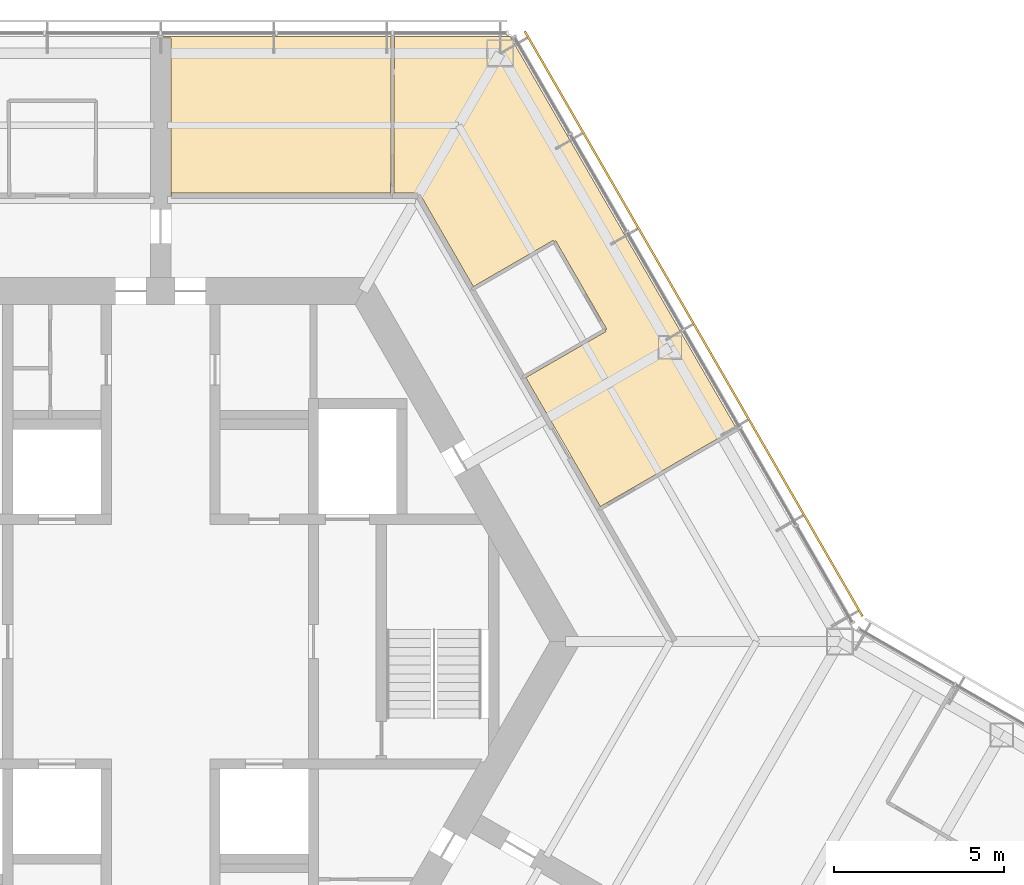
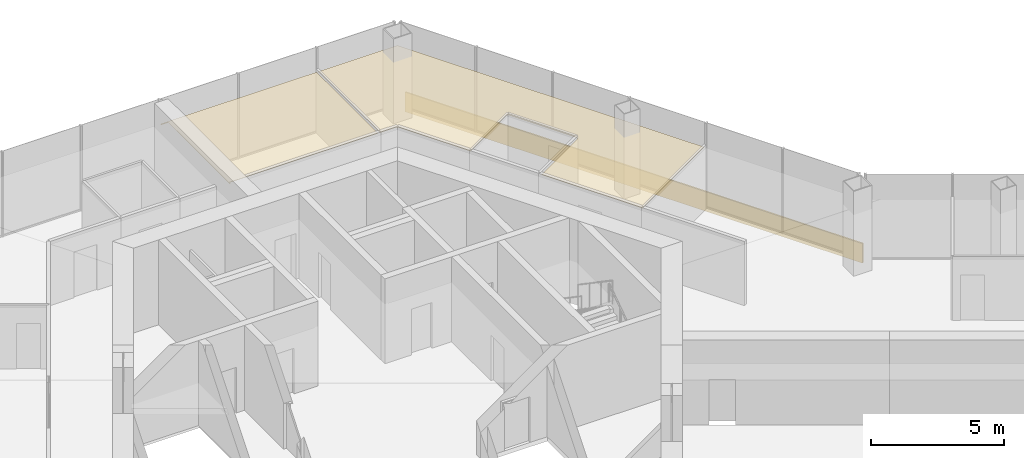
# One storey, part 16 of 16: 2 coverings, 1 shading device.
"""IFC4 building model written with IfcOpenShell, lengths in metres."""

from ifc_helpers import new_model, si_unit, direction, frame, origin, origin_2d, place, context, subcontext, project, spatial, polyline, rectangle, outline, extrude, material, layer, layer_set, type_object, element, save


model = new_model("IFC4")

# Units and contexts
model_context = context("Model", 3, precision=1e-05, world=origin(), true_north=direction((0.0, 1.0)))
body_context = subcontext(model_context, "Body", "Model", "MODEL_VIEW")
ifc_project = project(units=[si_unit("LENGTHUNIT", "METRE"), si_unit("AREAUNIT", "SQUARE_METRE"), si_unit("VOLUMEUNIT", "CUBIC_METRE"), si_unit("PLANEANGLEUNIT", "RADIAN"), si_unit("MASSUNIT", "GRAM", prefix="KILO")], contexts=[model_context])

# Site, building, storey
site_placement = place(None, origin())
site = spatial("IfcSite", under=ifc_project, at=site_placement, CompositionType="ELEMENT")
building_placement = place(site_placement, origin())
building = spatial("IfcBuilding", under=site, at=building_placement, Name="Kasaneha Research Tower", CompositionType="ELEMENT")
storey_placement = place(building_placement, frame((0.0, 0.0, 263.5)))
storey = spatial("IfcBuildingStorey", under=building, at=storey_placement, Name="L66", CompositionType="ELEMENT", Elevation=263.5)

# Coverings
ifc_material_1 = material(Name="Gypsum ceiling board", Category="gypsum")
ifc_layer_1 = layer(ifc_material_1, 0.02001953125)
ifc_layer_set_1 = layer_set([ifc_layer_1], Name="Suspended ceiling 20")
covering_type = type_object("IfcCoveringType", Name="Suspended ceiling 20", PredefinedType="CEILING", material=ifc_layer_set_1)
covering_1_placement = place(storey_placement, frame((0.0, 0.0, 2.800048828125)))
element("IfcCovering", 1, at=covering_1_placement, inside=storey, type_object=covering_type, Name="Ceiling L66-28", PredefinedType="CEILING", context=body_context, shape_type="SweptSolid", body=[
    extrude(outline(polyline([(6.8310546875, 17.820556640625), (6.8310546875, 17.800537109375), (6.781005859375, 17.800537109375), (6.776611328125, 13.199951171875), (0.320068359375, 13.199951171875), (0.320068359375, 13.125), (0.300048828125, 13.125), (0.300048828125, 17.7705078125), (0.300048828125, 17.7705078125), (0.0, 17.7705078125), (0.0, 17.820556640625), (6.8310546875, 17.820556640625)])), origin(), (0.0, 0.0, 1.0), 0.02001953125),
])
covering_2_placement = place(storey_placement, frame((0.0, 0.0, 2.800048828125)))
element("IfcCovering", 2, at=covering_2_placement, inside=storey, type_object=covering_type, Name="Ceiling L66-29", PredefinedType="CEILING", context=body_context, shape_type="SweptSolid", body=[
    extrude(outline(polyline([(13.092041015625, 9.1748046875), (13.091796875, 9.175048828125), (13.134765625, 9.199951171875), (11.634765625, 11.798095703125), (11.591796875, 11.773193359375), (11.591796875, 11.773193359375), (11.591552734375, 11.77294921875), (11.56640625, 11.816162109375), (9.208740234375, 10.449951171875), (7.642578125, 13.16259765625), (7.578125, 13.125244140625), (7.578125, 13.125244140625), (7.57763671875, 13.125244140625), (7.57763671875, 13.199951171875), (6.87646484375, 13.199951171875), (6.880859375, 17.800537109375), (6.83154296875, 17.800537109375), (6.83154296875, 17.820556640625), (10.28857421875, 17.820556640625), (16.94677734375, 6.28857421875), (12.947509765625, 3.974365234375), (10.75439453125, 7.77294921875), (13.116455078125, 9.131591796875), (13.091552734375, 9.174560546875), (13.092041015625, 9.1748046875)])), origin(), (0.0, 0.0, 1.0), 0.02001953125),
])

# Shading device
ifc_material_2 = material(Name="Terracotta", Category="masonry")
ifc_layer_2 = layer(ifc_material_2, 0.06005859375)
ifc_layer_set_2 = layer_set([ifc_layer_2], Name="Terracotta baguette screen")
shading_device_type = type_object("IfcShadingDeviceType", Name="Terracotta baguette screen", PredefinedType="USERDEFINED", material=ifc_layer_set_2)
shading_device_placement = place(storey_placement, frame((15.696044921875, 9.35498046875, -0.449951171875), z_axis=(0.0, 0.0, 1.0), x_axis=(-0.499999979232, 0.866025415775, 0.0)))
element("IfcShadingDevice", 3, at=shading_device_placement, inside=storey, type_object=shading_device_type, Name="Baguette screen L66 01", ObjectType="TERRACOTTA BAGUETTE SCREEN", PredefinedType="USERDEFINED", context=body_context, shape_type="SweptSolid", body=[
    extrude(rectangle(XDim=19.8857421875, YDim=0.06005859375, at=origin_2d()), origin(), (0.0, 0.0, 1.0), 0.89990234375),
])

save(model, "model.ifc")
